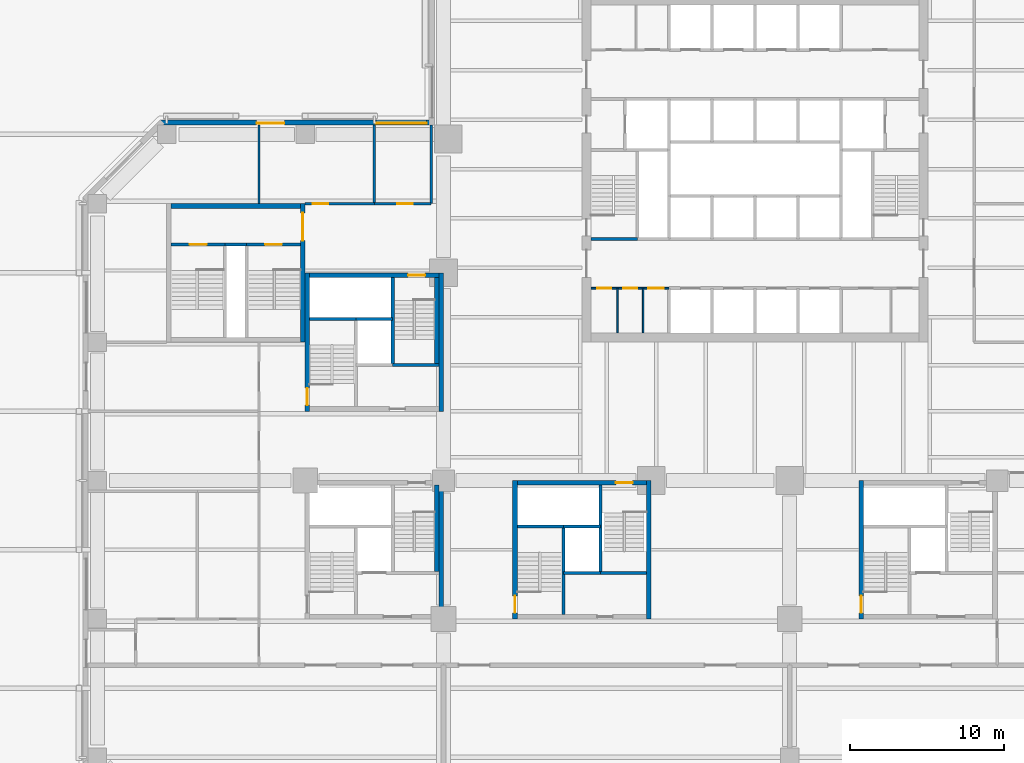
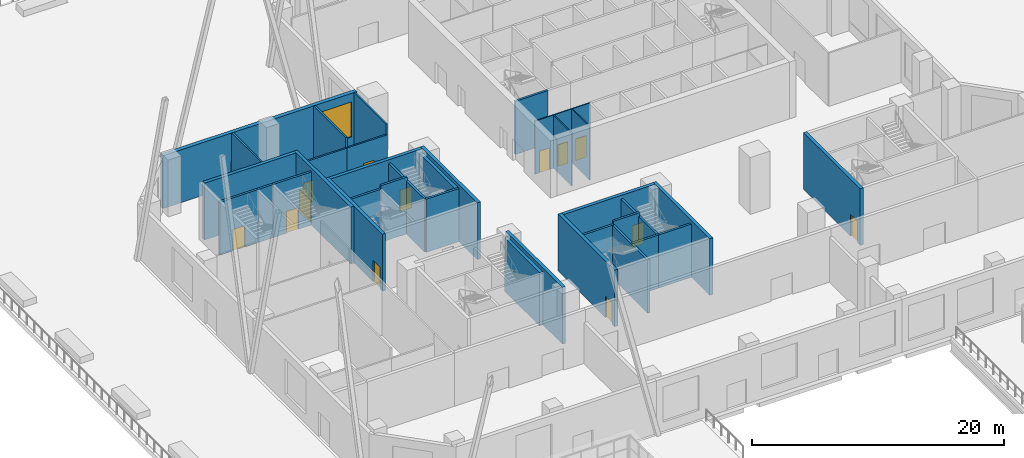
# One storey, part 22 of 33: 35 walls, 14 doors, 1 window, 15 openings.
"""IFC4 building model written with IfcOpenShell, lengths in metres."""

from ifc_helpers import new_model, si_unit, direction, frame, frame_2d, origin, place, context, subcontext, project, spatial, rectangle, extrude, material, layer, layer_set, constituent, constituent_set, type_object, element, fill, save


model = new_model("IFC4")

# Units and contexts
model_context = context("Model", 3, precision=1e-05, world=origin(), true_north=direction((0.0, 1.0)))
body_context = subcontext(model_context, "Body", "Model", "MODEL_VIEW")
ifc_project = project(units=[si_unit("LENGTHUNIT", "METRE"), si_unit("AREAUNIT", "SQUARE_METRE"), si_unit("VOLUMEUNIT", "CUBIC_METRE"), si_unit("PLANEANGLEUNIT", "RADIAN"), si_unit("MASSUNIT", "GRAM", prefix="KILO")], contexts=[model_context])

# Site, building, storey
site_placement = place(None, origin())
site = spatial("IfcSite", under=ifc_project, at=site_placement, CompositionType="ELEMENT")
building_placement = place(site_placement, origin())
building = spatial("IfcBuilding", under=site, at=building_placement, Name="Quoin Convention Tower", CompositionType="ELEMENT")
storey_placement = place(building_placement, frame((0.0, 0.0, 8.0)))
storey = spatial("IfcBuildingStorey", under=building, at=storey_placement, Name="L01", CompositionType="ELEMENT", Elevation=8.0)

# Wall, openings, window, door
ifc_material_1 = material(Name="Brick masonry", Category="masonry")
ifc_layer_1 = layer(ifc_material_1, 0.35009765625)
ifc_layer_set_1 = layer_set([ifc_layer_1], Name="Brick masonry")
wall_type_1 = type_object("IfcWallType", Name="Brick facade wall", PredefinedType="STANDARD", material=ifc_layer_set_1)
wall_1_placement = place(storey_placement, frame((35.39990234375, 63.77490234375, 0.0), z_axis=(0.0, 0.0, 1.0), x_axis=(-1.0, 0.0, 0.0)))
wall_1 = element("IfcWall", 1, at=wall_1_placement, inside=storey, type_object=wall_type_1, Name="fw-L01-36000_63000", PredefinedType="STANDARD", context=body_context, shape_type="SweptSolid", body=[
    extrude(rectangle(XDim=17.79345703125, YDim=0.35009765625, at=frame_2d((8.896728515625, 0.0))), origin(), (0.0, 0.0, 1.0), 5.125),
])
opening_1_placement = place(wall_1_placement, frame((0.5, 0.0, 0.89990234375)))
opening_1 = element("IfcOpeningElement", 2, at=opening_1_placement, cuts=wall_1, Name="Opening W-04", PredefinedType="OPENING", context=body_context, shape_type="SweptSolid", body=[
    extrude(rectangle(XDim=3.300048828125, YDim=3.39990234375, at=frame_2d((1.64990234375, 1.699951171875))), frame((0.0, 0.18505859375, 0.0), z_axis=(0.0, -1.0, 0.0), x_axis=(1.0, 0.0, 0.0)), (0.0, 0.0, 1.0), 0.3701171875),
])
opening_2_placement = place(wall_1_placement, frame((9.75, 0.0, 0.0)))
opening_2 = element("IfcOpeningElement", 3, at=opening_2_placement, cuts=wall_1, Name="Opening D-T1", PredefinedType="OPENING", context=body_context, shape_type="SweptSolid", body=[
    extrude(rectangle(XDim=1.800048828125, YDim=2.39990234375, at=frame_2d((0.89990234375, 1.199951171875))), frame((0.0, 0.18505859375, 0.0), z_axis=(0.0, -1.0, 0.0), x_axis=(1.0, 0.0, 0.0)), (0.0, 0.0, 1.0), 0.3701171875),
])
ifc_material_2 = material(Name="Aluminium", Category="aluminium")
ifc_constituent_1 = constituent(ifc_material_2, Name="Frame")
ifc_material_3 = material(Name="Insulated glass", Category="glass")
ifc_constituent_2 = constituent(ifc_material_3, Name="Glazing")
ifc_constituent_set_1 = constituent_set(constituents=[ifc_constituent_1, ifc_constituent_2], Name="Aluminium")
window_type = type_object("IfcWindowType", Name="Convention window L01", PartitioningType="TRIPLE_PANEL_VERTICAL", PredefinedType="WINDOW", material=ifc_constituent_set_1)
window_placement = place(opening_1_placement, origin())
window = element("IfcWindow", 4, at=window_placement, inside=storey, type_object=window_type, Name="win-L01-33750_63775", OverallHeight=3.39990234375, OverallWidth=3.300048828125, PartitioningType="SINGLE_PANEL", PredefinedType="WINDOW", context=body_context, shape_type="SweptSolid", body=[
    extrude(rectangle(XDim=3.300048828125, YDim=3.39990234375, at=frame_2d((1.64990234375, 1.699951171875))), frame((0.0, 0.0849609375, 0.0), z_axis=(0.0, -1.0, 0.0), x_axis=(1.0, 0.0, 0.0)), (0.0, 0.0, 1.0), 0.06005859375),
])
fill(opening_1, window)
ifc_constituent_3 = constituent(ifc_material_2, Name="Frame")
ifc_constituent_4 = constituent(ifc_material_3, Name="Glazing")
ifc_constituent_set_2 = constituent_set(constituents=[ifc_constituent_3, ifc_constituent_4], Name="Aluminium")
door_type_1 = type_object("IfcDoorType", Name="Glazed terrace door", OperationType="DOUBLE_DOOR_SINGLE_SWING", PredefinedType="DOOR", material=ifc_constituent_set_2)
door_1_placement = place(opening_2_placement, frame((1.800048828125, 0.0, 0.0), z_axis=(0.0, 0.0, 1.0), x_axis=(-1.0, 0.0, 0.0)))
door_1 = element("IfcDoor", 5, at=door_1_placement, inside=storey, type_object=door_type_1, Name="dr-L01-24750_63775", OperationType="DOUBLE_DOOR_SINGLE_SWING", OverallHeight=2.39990234375, OverallWidth=1.800048828125, PredefinedType="DOOR", context=body_context, shape_type="SweptSolid", body=[
    extrude(rectangle(XDim=1.800048828125, YDim=2.39990234375, at=frame_2d((0.89990234375, 1.199951171875))), frame((0.0, -0.02978515625, 0.0), z_axis=(0.0, -1.0, 0.0), x_axis=(1.0, 0.0, 0.0)), (0.0, 0.0, 1.0), 0.050048828125),
])
fill(opening_2, door_1)

# Wall, openings, doors
ifc_material_4 = material(Name="Plasterboard")
ifc_layer_2 = layer(ifc_material_4, 0.012451171875, Name="Finish")
ifc_material_5 = material(Name="Steel stud framing", Category="steel")
ifc_layer_3 = layer(ifc_material_5, 0.074951171875, Name="Structure")
ifc_layer_4 = layer(ifc_material_4, 0.012451171875, Name="Finish")
ifc_layer_set_2 = layer_set([ifc_layer_2, ifc_layer_3, ifc_layer_4], Name="Steel stud framing")
wall_type_2 = type_object("IfcWallType", Name="Core partition wall", PredefinedType="PARTITIONING", material=ifc_layer_set_2)
wall_2_placement = place(storey_placement, frame((45.60009765625, 53.0, 0.0), z_axis=(0.0, 0.0, 1.0), x_axis=(1.0, 0.0, 0.0)))
wall_2 = element("IfcWall", 6, at=wall_2_placement, inside=storey, type_object=wall_type_2, Name="cr-C1-L01-h3500_600", PredefinedType="PARTITIONING", context=body_context, shape_type="SweptSolid", body=[
    extrude(rectangle(XDim=5.0498046875, YDim=0.10009765625, at=frame_2d((2.52490234375, 0.0))), origin(), (0.0, 0.0, 1.0), 5.14990234375),
])
opening_3_placement = place(wall_2_placement, frame((0.408447265625, 0.0, 0.0)))
opening_3 = element("IfcOpeningElement", 7, at=opening_3_placement, cuts=wall_2, Name="Opening DCV1-43", PredefinedType="OPENING", context=body_context, shape_type="SweptSolid", body=[
    extrude(rectangle(XDim=0.89990234375, YDim=2.10009765625, at=frame_2d((0.449951171875, 1.050048828125))), frame((0.0, 0.06005859375, 0.0), z_axis=(0.0, -1.0, 0.0), x_axis=(1.0, 0.0, 0.0)), (0.0, 0.0, 1.0), 0.1201171875),
])
opening_4_placement = place(wall_2_placement, frame((2.10009765625, 0.0, 0.0)))
opening_4 = element("IfcOpeningElement", 8, at=opening_4_placement, cuts=wall_2, Name="Opening DCV1-44", PredefinedType="OPENING", context=body_context, shape_type="SweptSolid", body=[
    extrude(rectangle(XDim=0.89990234375, YDim=2.10009765625, at=frame_2d((0.449951171875, 1.050048828125))), frame((0.0, 0.06005859375, 0.0), z_axis=(0.0, -1.0, 0.0), x_axis=(1.0, 0.0, 0.0)), (0.0, 0.0, 1.0), 0.1201171875),
])
opening_5_placement = place(wall_2_placement, frame((3.716796875, 0.0, 0.0)))
opening_5 = element("IfcOpeningElement", 9, at=opening_5_placement, cuts=wall_2, Name="Opening DCV1-45", PredefinedType="OPENING", context=body_context, shape_type="SweptSolid", body=[
    extrude(rectangle(XDim=1.0, YDim=2.10009765625, at=frame_2d((0.5, 1.050048828125))), frame((0.0, 0.06005859375, 0.0), z_axis=(0.0, -1.0, 0.0), x_axis=(1.0, 0.0, 0.0)), (0.0, 0.0, 1.0), 0.1201171875),
])
ifc_material_6 = material(Name="Steel door leaf", Category="steel")
door_type_2 = type_object("IfcDoorType", Name="Core room door 1000 x 2100", OperationType="SINGLE_SWING_LEFT", PredefinedType="DOOR", material=ifc_material_6)
door_2_placement = place(opening_5_placement, frame((1.0, 0.0, 0.0), z_axis=(0.0, 0.0, 1.0), x_axis=(-1.0, 0.0, 0.0)))
door_2 = element("IfcDoor", 10, at=door_2_placement, inside=storey, type_object=door_type_2, Name="cd-C1-L01-CSW2-lobA-CD0114", OperationType="SINGLE_SWING_LEFT", OverallHeight=2.10009765625, OverallWidth=1.0, PredefinedType="DOOR", context=body_context, shape_type="SweptSolid", body=[
    extrude(rectangle(XDim=1.0, YDim=2.10009765625, at=frame_2d((0.5, 1.050048828125))), frame((0.0, 0.02490234375, 0.0), z_axis=(0.0, -1.0, 0.0), x_axis=(1.0, 0.0, 0.0)), (0.0, 0.0, 1.0), 0.050048828125),
])
fill(opening_5, door_2)
door_type_3 = type_object("IfcDoorType", Name="Core room door 900 x 2100", OperationType="SINGLE_SWING_LEFT", PredefinedType="DOOR", material=ifc_material_6)
door_3_placement = place(opening_3_placement, frame((0.89990234375, 0.0, 0.0), z_axis=(0.0, 0.0, 1.0), x_axis=(-1.0, 0.0, 0.0)))
door_3 = element("IfcDoor", 11, at=door_3_placement, inside=storey, type_object=door_type_3, Name="cd-C1-L01-CSW0-lobA-CD0112", OperationType="SINGLE_SWING_LEFT", OverallHeight=2.10009765625, OverallWidth=0.89990234375, PredefinedType="DOOR", context=body_context, shape_type="SweptSolid", body=[
    extrude(rectangle(XDim=0.89990234375, YDim=2.10009765625, at=frame_2d((0.449951171875, 1.050048828125))), frame((0.0, 0.02490234375, 0.0), z_axis=(0.0, -1.0, 0.0), x_axis=(1.0, 0.0, 0.0)), (0.0, 0.0, 1.0), 0.050048828125),
])
fill(opening_3, door_3)
door_4_placement = place(opening_4_placement, frame((0.89990234375, 0.0, 0.0), z_axis=(0.0, 0.0, 1.0), x_axis=(-1.0, 0.0, 0.0)))
door_4 = element("IfcDoor", 12, at=door_4_placement, inside=storey, type_object=door_type_3, Name="cd-C1-L01-CSW1-lobA-CD0113", OperationType="SINGLE_SWING_LEFT", OverallHeight=2.10009765625, OverallWidth=0.89990234375, PredefinedType="DOOR", context=body_context, shape_type="SweptSolid", body=[
    extrude(rectangle(XDim=0.89990234375, YDim=2.10009765625, at=frame_2d((0.449951171875, 1.050048828125))), frame((0.0, 0.02490234375, 0.0), z_axis=(0.0, -1.0, 0.0), x_axis=(1.0, 0.0, 0.0)), (0.0, 0.0, 1.0), 0.050048828125),
])
fill(opening_4, door_4)

# Walls
for number, where, z_axis, x_axis, name in (
    (13, (47.31689453125, 50.10009765625, 0.0), (0.0, 0.0, 1.0), (0.0, 1.0, 0.0), "cr-C1-L01-v2317_600"),
    (14, (48.9833984375, 50.10009765625, 0.0), (0.0, 0.0, 1.0), (0.0, 1.0, 0.0), "cr-C1-L01-v3984_600"),
):
    element("IfcWall", number, at=place(storey_placement, frame(where, z_axis=z_axis, x_axis=x_axis)), inside=storey, type_object=wall_type_2, Name=name, PredefinedType="PARTITIONING", context=body_context, shape_type="SweptSolid", body=[
        extrude(rectangle(XDim=2.89990234375, YDim=0.10009765625, at=frame_2d((1.449951171875, 0.0))), origin(), (0.0, 0.0, 1.0), 5.14990234375),
    ])
ifc_material_7 = material(Name="Concrete C50", Category="concrete")
ifc_layer_5 = layer(ifc_material_7, 0.199951171875)
ifc_layer_set_3 = layer_set([ifc_layer_5], Name="Concrete C50")
wall_type_3 = type_object("IfcWallType", Name="Core shaft wall", PredefinedType="SOLIDWALL", material=ifc_layer_set_3)
for number, where, z_axis, x_axis, name in (
    (15, (45.60009765625, 56.199951171875, 0.0), (0.0, 0.0, 1.0), (1.0, 0.0, 0.0), "cr-C1-L01-h6700_600"),
    (16, (32.699951171875, 48.0, 0.0), (0.0, 0.0, 1.0), (1.0, 0.0, 0.0), "cr-P2-L01-h3000_5700"),
    (17, (27.300048828125, 51.0, 0.0), (0.0, 0.0, 1.0), (1.0, 0.0, 0.0), "cr-P2-L01-h6000_300"),
):
    element("IfcWall", number, at=place(storey_placement, frame(where, z_axis=z_axis, x_axis=x_axis)), inside=storey, type_object=wall_type_3, Name=name, PredefinedType="SOLIDWALL", context=body_context, shape_type="SweptSolid", body=[
        extrude(rectangle(XDim=3.0, YDim=0.199951171875, at=frame_2d((1.5, 0.0))), origin(), (0.0, 0.0, 1.0), 5.14990234375),
    ])
wall_3_placement = place(storey_placement, frame((32.699951171875, 48.0, 0.0), z_axis=(0.0, 0.0, 1.0), x_axis=(0.0, 1.0, 0.0)))
element("IfcWall", 18, at=wall_3_placement, inside=storey, type_object=wall_type_3, Name="cr-P2-L01-v5700_3000", PredefinedType="SOLIDWALL", context=body_context, shape_type="SweptSolid", body=[
    extrude(rectangle(XDim=5.699951171875, YDim=0.199951171875, at=frame_2d((2.85009765625, 0.0))), origin(), (0.0, 0.0, 1.0), 5.14990234375),
])
wall_4_placement = place(storey_placement, frame((43.800048828125, 34.5, 0.0), z_axis=(0.0, 0.0, 1.0), x_axis=(1.0, 0.0, 0.0)))
element("IfcWall", 19, at=wall_4_placement, inside=storey, type_object=wall_type_3, Name="cr-P3-L01-h3000_3300", PredefinedType="SOLIDWALL", context=body_context, shape_type="SweptSolid", body=[
    extrude(rectangle(XDim=2.39990234375, YDim=0.199951171875, at=frame_2d((1.199951171875, 0.0))), origin(), (0.0, 0.0, 1.0), 5.14990234375),
])
for number, where, z_axis, x_axis, name in (
    (20, (46.199951171875, 34.5, 0.0), (0.0, 0.0, 1.0), (1.0, 0.0, 0.0), "cr-P3-L01-h3000_5700"),
    (21, (40.800048828125, 37.5, 0.0), (0.0, 0.0, 1.0), (1.0, 0.0, 0.0), "cr-P3-L01-h6000_300"),
):
    element("IfcWall", number, at=place(storey_placement, frame(where, z_axis=z_axis, x_axis=x_axis)), inside=storey, type_object=wall_type_3, Name=name, PredefinedType="SOLIDWALL", context=body_context, shape_type="SweptSolid", body=[
        extrude(rectangle(XDim=3.0, YDim=0.199951171875, at=frame_2d((1.5, 0.0))), origin(), (0.0, 0.0, 1.0), 5.14990234375),
    ])
for number, where, z_axis, x_axis, name in (
    (22, (43.800048828125, 31.800048828125, 0.0), (0.0, 0.0, 1.0), (0.0, 1.0, 0.0), "cr-P3-L01-v3300_300"),
    (23, (46.199951171875, 34.5, 0.0), (0.0, 0.0, 1.0), (0.0, 1.0, 0.0), "cr-P3-L01-v5700_3000"),
):
    element("IfcWall", number, at=place(storey_placement, frame(where, z_axis=z_axis, x_axis=x_axis)), inside=storey, type_object=wall_type_3, Name=name, PredefinedType="SOLIDWALL", context=body_context, shape_type="SweptSolid", body=[
        extrude(rectangle(XDim=5.699951171875, YDim=0.199951171875, at=frame_2d((2.85009765625, 0.0))), origin(), (0.0, 0.0, 1.0), 5.14990234375),
    ])
wall_5_placement = place(storey_placement, frame((21.800048828125, 55.85009765625, 0.0), z_axis=(0.0, 0.0, 1.0), x_axis=(1.0, 0.0, 0.0)))
element("IfcWall", 24, at=wall_5_placement, inside=storey, type_object=wall_type_3, Name="cr-P6-L01-h6350_3800", PredefinedType="SOLIDWALL", context=body_context, shape_type="SweptSolid", body=[
    extrude(rectangle(XDim=1.39990234375, YDim=0.199951171875, at=frame_2d((0.699951171875, 0.0))), origin(), (0.0, 0.0, 1.0), 5.14990234375),
])

# Wall, opening, door
wall_6_placement = place(storey_placement, frame((18.300048828125, 55.85009765625, 0.0), z_axis=(0.0, 0.0, 1.0), x_axis=(1.0, 0.0, 0.0)))
wall_6 = element("IfcWall", 25, at=wall_6_placement, inside=storey, type_object=wall_type_3, Name="cr-P6-L01-h6350_300", PredefinedType="SOLIDWALL", context=body_context, shape_type="SweptSolid", body=[
    extrude(rectangle(XDim=3.5, YDim=0.199951171875, at=frame_2d((1.75, 0.0))), origin(), (0.0, 0.0, 1.0), 5.14990234375),
])
opening_6_placement = place(wall_6_placement, frame((1.199951171875, 0.0, 0.0)))
opening_6 = element("IfcOpeningElement", 26, at=opening_6_placement, cuts=wall_6, Name="Opening SD11", PredefinedType="OPENING", context=body_context, shape_type="SweptSolid", body=[
    extrude(rectangle(XDim=1.10009765625, YDim=2.10009765625, at=frame_2d((0.550048828125, 1.050048828125))), frame((0.0, 0.10986328125, 0.0), z_axis=(0.0, -1.0, 0.0), x_axis=(1.0, 0.0, 0.0)), (0.0, 0.0, 1.0), 0.219970703125),
])
door_type_4 = type_object("IfcDoorType", Name="Stair door 1100 x 2100", OperationType="SINGLE_SWING_RIGHT", PredefinedType="DOOR", material=ifc_material_6)
door_5_placement = place(opening_6_placement, origin())
door_5 = element("IfcDoor", 27, at=door_5_placement, inside=storey, type_object=door_type_4, Name="cd-P6-L01-SA-R2-SD11", OperationType="SINGLE_SWING_RIGHT", OverallHeight=2.10009765625, OverallWidth=1.10009765625, PredefinedType="DOOR", context=body_context, shape_type="SweptSolid", body=[
    extrude(rectangle(XDim=1.10009765625, YDim=2.10009765625, at=frame_2d((0.550048828125, 1.050048828125))), frame((0.0, 0.02490234375, 0.0), z_axis=(0.0, -1.0, 0.0), x_axis=(1.0, 0.0, 0.0)), (0.0, 0.0, 1.0), 0.050048828125),
])
fill(opening_6, door_5)

wall_7_placement = place(storey_placement, frame((23.199951171875, 55.85009765625, 0.0), z_axis=(0.0, 0.0, 1.0), x_axis=(1.0, 0.0, 0.0)))
wall_7 = element("IfcWall", 28, at=wall_7_placement, inside=storey, type_object=wall_type_3, Name="cr-P6-L01-h6350_5200", PredefinedType="SOLIDWALL", context=body_context, shape_type="SweptSolid", body=[
    extrude(rectangle(XDim=3.5, YDim=0.199951171875, at=frame_2d((1.75, 0.0))), origin(), (0.0, 0.0, 1.0), 5.14990234375),
])
opening_7_placement = place(wall_7_placement, frame((1.199951171875, 0.0, 0.0)))
opening_7 = element("IfcOpeningElement", 29, at=opening_7_placement, cuts=wall_7, Name="Opening SD12", PredefinedType="OPENING", context=body_context, shape_type="SweptSolid", body=[
    extrude(rectangle(XDim=1.10009765625, YDim=2.10009765625, at=frame_2d((0.550048828125, 1.050048828125))), frame((0.0, 0.10986328125, 0.0), z_axis=(0.0, -1.0, 0.0), x_axis=(1.0, 0.0, 0.0)), (0.0, 0.0, 1.0), 0.219970703125),
])
door_6_placement = place(opening_7_placement, origin())
door_6 = element("IfcDoor", 30, at=door_6_placement, inside=storey, type_object=door_type_4, Name="cd-P6-L01-SB-R2-SD12", OperationType="SINGLE_SWING_RIGHT", OverallHeight=2.10009765625, OverallWidth=1.10009765625, PredefinedType="DOOR", context=body_context, shape_type="SweptSolid", body=[
    extrude(rectangle(XDim=1.10009765625, YDim=2.10009765625, at=frame_2d((0.550048828125, 1.050048828125))), frame((0.0, 0.02490234375, 0.0), z_axis=(0.0, -1.0, 0.0), x_axis=(1.0, 0.0, 0.0)), (0.0, 0.0, 1.0), 0.050048828125),
])
fill(opening_7, door_6)

# Walls
ifc_layer_6 = layer(ifc_material_7, 0.199951171875)
ifc_layer_set_4 = layer_set([ifc_layer_6], Name="Concrete C50")
wall_type_4 = type_object("IfcWallType", Name="Core shaft wall to the floor level over", PredefinedType="SOLIDWALL", material=ifc_layer_set_4)
for number, where, z_axis, x_axis, name in (
    (31, (30.300048828125, 51.0, 0.0), (0.0, 0.0, 1.0), (1.0, 0.0, 0.0), "cr-P2-L01-h6000_3300"),
    (32, (43.800048828125, 37.5, 0.0), (0.0, 0.0, 1.0), (1.0, 0.0, 0.0), "cr-P3-L01-h6000_3300"),
):
    element("IfcWall", number, at=place(storey_placement, frame(where, z_axis=z_axis, x_axis=x_axis)), inside=storey, type_object=wall_type_4, Name=name, PredefinedType="SOLIDWALL", context=body_context, shape_type="SweptSolid", body=[
        extrude(rectangle(XDim=2.39990234375, YDim=0.199951171875, at=frame_2d((1.199951171875, 0.0))), origin(), (0.0, 0.0, 1.0), 5.5),
    ])
ifc_layer_7 = layer(ifc_material_4, 0.012451171875, Name="Finish")
ifc_layer_8 = layer(ifc_material_5, 0.125, Name="Structure")
ifc_layer_9 = layer(ifc_material_4, 0.012451171875, Name="Finish")
ifc_layer_set_5 = layer_set([ifc_layer_7, ifc_layer_8, ifc_layer_9], Name="Steel stud framing")
wall_type_5 = type_object("IfcWallType", Name="Partition wall 150", PredefinedType="PARTITIONING", material=ifc_layer_set_5)
for number, where, z_axis, x_axis, name in (
    (33, (24.0, 58.5, 0.0), (0.0, 0.0, 1.0), (0.0, 1.0, 0.0), "pw-L01-033"),
    (34, (31.5, 58.5, 0.0), (0.0, 0.0, 1.0), (0.0, 1.0, 0.0), "pw-L01-035"),
    (35, (35.199951171875, 58.5, 0.0), (0.0, 0.0, 1.0), (0.0, 1.0, 0.0), "pw-L01-036"),
):
    element("IfcWall", number, at=place(storey_placement, frame(where, z_axis=z_axis, x_axis=x_axis)), inside=storey, type_object=wall_type_5, Name=name, PredefinedType="PARTITIONING", context=body_context, shape_type="SweptSolid", body=[
        extrude(rectangle(XDim=5.10009765625, YDim=0.14990234375, at=frame_2d((2.550048828125, 0.0))), origin(), (0.0, 0.0, 1.0), 5.14990234375),
    ])

# Wall, opening, door
ifc_layer_10 = layer(ifc_material_4, 0.012451171875, Name="Finish")
ifc_layer_11 = layer(ifc_material_5, 0.125, Name="Structure")
ifc_layer_12 = layer(ifc_material_4, 0.012451171875, Name="Finish")
ifc_layer_set_6 = layer_set([ifc_layer_10, ifc_layer_11, ifc_layer_12], Name="Steel stud framing")
wall_type_6 = type_object("IfcWallType", Name="Partition wall 150 under beam 1000", PredefinedType="PARTITIONING", material=ifc_layer_set_6)
wall_8_placement = place(storey_placement, frame((27.0, 58.5, 0.0), z_axis=(0.0, 0.0, 1.0), x_axis=(1.0, 0.0, 0.0)))
wall_8 = element("IfcWall", 36, at=wall_8_placement, inside=storey, type_object=wall_type_6, Name="pw-L01-032", PredefinedType="PARTITIONING", context=body_context, shape_type="SweptSolid", body=[
    extrude(rectangle(XDim=4.5, YDim=0.14990234375, at=frame_2d((2.25, 0.0))), origin(), (0.0, 0.0, 1.0), 4.14990234375),
])
opening_8_placement = place(wall_8_placement, frame((0.5, 0.0, 0.0)))
opening_8 = element("IfcOpeningElement", 37, at=opening_8_placement, cuts=wall_8, Name="Opening DPD1-16", PredefinedType="OPENING", context=body_context, shape_type="SweptSolid", body=[
    extrude(rectangle(XDim=1.0, YDim=2.10009765625, at=frame_2d((0.5, 1.050048828125))), frame((0.0, 0.0849609375, 0.0), z_axis=(0.0, -1.0, 0.0), x_axis=(1.0, 0.0, 0.0)), (0.0, 0.0, 1.0), 0.169921875),
])
door_type_5 = type_object("IfcDoorType", Name="Single leaf door 1000", OperationType="SINGLE_SWING_LEFT", PredefinedType="DOOR", material=ifc_material_6)
door_7_placement = place(opening_8_placement, origin())
door_7 = element("IfcDoor", 38, at=door_7_placement, inside=storey, type_object=door_type_5, Name="dr-L01-017", OperationType="SINGLE_SWING_LEFT", OverallHeight=2.10009765625, OverallWidth=1.0, PredefinedType="DOOR", context=body_context, shape_type="SweptSolid", body=[
    extrude(rectangle(XDim=1.0, YDim=2.10009765625, at=frame_2d((0.5, 1.050048828125))), frame((0.0, 0.02490234375, 0.0), z_axis=(0.0, -1.0, 0.0), x_axis=(1.0, 0.0, 0.0)), (0.0, 0.0, 1.0), 0.050048828125),
])
fill(opening_8, door_7)

wall_9_placement = place(storey_placement, frame((31.5, 58.5, 0.0), z_axis=(0.0, 0.0, 1.0), x_axis=(1.0, 0.0, 0.0)))
wall_9 = element("IfcWall", 39, at=wall_9_placement, inside=storey, type_object=wall_type_6, Name="pw-L01-034", PredefinedType="PARTITIONING", context=body_context, shape_type="SweptSolid", body=[
    extrude(rectangle(XDim=3.699951171875, YDim=0.14990234375, at=frame_2d((1.85009765625, 0.0))), origin(), (0.0, 0.0, 1.0), 4.14990234375),
])
opening_9_placement = place(wall_9_placement, frame((1.5, 0.0, 0.0)))
opening_9 = element("IfcOpeningElement", 40, at=opening_9_placement, cuts=wall_9, Name="Opening DPD1-17", PredefinedType="OPENING", context=body_context, shape_type="SweptSolid", body=[
    extrude(rectangle(XDim=1.0, YDim=2.10009765625, at=frame_2d((0.5, 1.050048828125))), frame((0.0, 0.0849609375, 0.0), z_axis=(0.0, -1.0, 0.0), x_axis=(1.0, 0.0, 0.0)), (0.0, 0.0, 1.0), 0.169921875),
])
door_8_placement = place(opening_9_placement, origin())
door_8 = element("IfcDoor", 41, at=door_8_placement, inside=storey, type_object=door_type_5, Name="dr-L01-018", OperationType="SINGLE_SWING_RIGHT", OverallHeight=2.10009765625, OverallWidth=1.0, PredefinedType="DOOR", context=body_context, shape_type="SweptSolid", body=[
    extrude(rectangle(XDim=1.0, YDim=2.10009765625, at=frame_2d((0.5, 1.050048828125))), frame((0.0, 0.02490234375, 0.0), z_axis=(0.0, -1.0, 0.0), x_axis=(1.0, 0.0, 0.0)), (0.0, 0.0, 1.0), 0.050048828125),
])
fill(opening_9, door_8)

ifc_material_8 = material(Name="Concrete C100 (100 MPa)", Category="concrete")
ifc_layer_13 = layer(ifc_material_8, 0.300048828125)
ifc_layer_set_7 = layer_set([ifc_layer_13], Name="Concrete C100 (100 MPa)")
wall_type_7 = type_object("IfcWallType", Name="RC CORE WALL 300 C100", PredefinedType="SHEAR", material=ifc_layer_set_7)
wall_10_placement = place(storey_placement, frame((27.300048828125, 53.85009765625, 0.0), z_axis=(0.0, 0.0, 1.0), x_axis=(1.0, 0.0, 0.0)))
wall_10 = element("IfcWall", 42, at=wall_10_placement, inside=storey, type_object=wall_type_7, Name="cwl-P2-L01-N", PredefinedType="SHEAR", context=body_context, shape_type="SweptSolid", body=[
    extrude(rectangle(XDim=8.39990234375, YDim=0.300048828125, at=frame_2d((4.199951171875, 0.0))), origin(), (0.0, 0.0, 1.0), 5.5),
])
opening_10_placement = place(wall_10_placement, frame((6.39990234375, 0.0, 0.0)))
opening_10 = element("IfcOpeningElement", 43, at=opening_10_placement, cuts=wall_10, Name="Opening SD4", PredefinedType="OPENING", context=body_context, shape_type="SweptSolid", body=[
    extrude(rectangle(XDim=1.10009765625, YDim=2.10009765625, at=frame_2d((0.550048828125, 1.050048828125))), frame((0.0, 0.159912109375, 0.0), z_axis=(0.0, -1.0, 0.0), x_axis=(1.0, 0.0, 0.0)), (0.0, 0.0, 1.0), 0.320068359375),
])
door_9_placement = place(opening_10_placement, frame((1.10009765625, 0.0, 0.0), z_axis=(0.0, 0.0, 1.0), x_axis=(-1.0, 0.0, 0.0)))
door_9 = element("IfcDoor", 44, at=door_9_placement, inside=storey, type_object=door_type_4, Name="cd-P2-L01-SB-N", OperationType="SINGLE_SWING_LEFT", OverallHeight=2.10009765625, OverallWidth=1.10009765625, PredefinedType="DOOR", context=body_context, shape_type="SweptSolid", body=[
    extrude(rectangle(XDim=1.10009765625, YDim=2.10009765625, at=frame_2d((0.550048828125, 1.050048828125))), frame((0.0, 0.02490234375, 0.0), z_axis=(0.0, -1.0, 0.0), x_axis=(1.0, 0.0, 0.0)), (0.0, 0.0, 1.0), 0.050048828125),
])
fill(opening_10, door_9)

wall_11_placement = place(storey_placement, frame((27.14990234375, 45.0, 0.0), z_axis=(0.0, 0.0, 1.0), x_axis=(0.0, 1.0, 0.0)))
wall_11 = element("IfcWall", 45, at=wall_11_placement, inside=storey, type_object=wall_type_7, Name="cwl-P2-L01-W", PredefinedType="SHEAR", context=body_context, shape_type="SweptSolid", body=[
    extrude(rectangle(XDim=9.0, YDim=0.300048828125, at=frame_2d((4.5, 0.0))), origin(), (0.0, 0.0, 1.0), 5.5),
])
opening_11_placement = place(wall_11_placement, frame((0.39990234375, 0.0, 0.0)))
opening_11 = element("IfcOpeningElement", 46, at=opening_11_placement, cuts=wall_11, Name="Opening SD3", PredefinedType="OPENING", context=body_context, shape_type="SweptSolid", body=[
    extrude(rectangle(XDim=1.10009765625, YDim=2.10009765625, at=frame_2d((0.550048828125, 1.050048828125))), frame((0.0, 0.159912109375, 0.0), z_axis=(0.0, -1.0, 0.0), x_axis=(1.0, 0.0, 0.0)), (0.0, 0.0, 1.0), 0.320068359375),
])
door_10_placement = place(opening_11_placement, frame((1.10009765625, 0.0, 0.0), z_axis=(0.0, 0.0, 1.0), x_axis=(-1.0, 0.0, 0.0)))
door_10 = element("IfcDoor", 47, at=door_10_placement, inside=storey, type_object=door_type_4, Name="cd-P2-L01-SA-W", OperationType="SINGLE_SWING_RIGHT", OverallHeight=2.10009765625, OverallWidth=1.10009765625, PredefinedType="DOOR", context=body_context, shape_type="SweptSolid", body=[
    extrude(rectangle(XDim=1.10009765625, YDim=2.10009765625, at=frame_2d((0.550048828125, 1.050048828125))), frame((0.0, 0.02490234375, 0.0), z_axis=(0.0, -1.0, 0.0), x_axis=(1.0, 0.0, 0.0)), (0.0, 0.0, 1.0), 0.050048828125),
])
fill(opening_11, door_10)

# Wall
wall_12_placement = place(storey_placement, frame((35.85009765625, 45.0, 0.0), z_axis=(0.0, 0.0, 1.0), x_axis=(0.0, 1.0, 0.0)))
element("IfcWall", 48, at=wall_12_placement, inside=storey, type_object=wall_type_7, Name="cwl-P2-L01-E", PredefinedType="SHEAR", context=body_context, shape_type="SweptSolid", body=[
    extrude(rectangle(XDim=9.0, YDim=0.300048828125, at=frame_2d((4.5, 0.0))), origin(), (0.0, 0.0, 1.0), 5.5),
])

# Wall, opening, door
wall_13_placement = place(storey_placement, frame((40.800048828125, 40.35009765625, 0.0), z_axis=(0.0, 0.0, 1.0), x_axis=(1.0, 0.0, 0.0)))
wall_13 = element("IfcWall", 49, at=wall_13_placement, inside=storey, type_object=wall_type_7, Name="cwl-P3-L01-N", PredefinedType="SHEAR", context=body_context, shape_type="SweptSolid", body=[
    extrude(rectangle(XDim=8.39990234375, YDim=0.300048828125, at=frame_2d((4.199951171875, 0.0))), origin(), (0.0, 0.0, 1.0), 5.5),
])
opening_12_placement = place(wall_13_placement, frame((6.39990234375, 0.0, 0.0)))
opening_12 = element("IfcOpeningElement", 50, at=opening_12_placement, cuts=wall_13, Name="Opening SD6", PredefinedType="OPENING", context=body_context, shape_type="SweptSolid", body=[
    extrude(rectangle(XDim=1.10009765625, YDim=2.10009765625, at=frame_2d((0.550048828125, 1.050048828125))), frame((0.0, 0.159912109375, 0.0), z_axis=(0.0, -1.0, 0.0), x_axis=(1.0, 0.0, 0.0)), (0.0, 0.0, 1.0), 0.320068359375),
])
door_11_placement = place(opening_12_placement, frame((1.10009765625, 0.0, 0.0), z_axis=(0.0, 0.0, 1.0), x_axis=(-1.0, 0.0, 0.0)))
door_11 = element("IfcDoor", 51, at=door_11_placement, inside=storey, type_object=door_type_4, Name="cd-P3-L01-SB-N", OperationType="SINGLE_SWING_LEFT", OverallHeight=2.10009765625, OverallWidth=1.10009765625, PredefinedType="DOOR", context=body_context, shape_type="SweptSolid", body=[
    extrude(rectangle(XDim=1.10009765625, YDim=2.10009765625, at=frame_2d((0.550048828125, 1.050048828125))), frame((0.0, 0.02490234375, 0.0), z_axis=(0.0, -1.0, 0.0), x_axis=(1.0, 0.0, 0.0)), (0.0, 0.0, 1.0), 0.050048828125),
])
fill(opening_12, door_11)

wall_14_placement = place(storey_placement, frame((40.64990234375, 31.5, 0.0), z_axis=(0.0, 0.0, 1.0), x_axis=(0.0, 1.0, 0.0)))
wall_14 = element("IfcWall", 52, at=wall_14_placement, inside=storey, type_object=wall_type_7, Name="cwl-P3-L01-W", PredefinedType="SHEAR", context=body_context, shape_type="SweptSolid", body=[
    extrude(rectangle(XDim=9.0, YDim=0.300048828125, at=frame_2d((4.5, 0.0))), origin(), (0.0, 0.0, 1.0), 5.5),
])
opening_13_placement = place(wall_14_placement, frame((0.39990234375, 0.0, 0.0)))
opening_13 = element("IfcOpeningElement", 53, at=opening_13_placement, cuts=wall_14, Name="Opening SD5", PredefinedType="OPENING", context=body_context, shape_type="SweptSolid", body=[
    extrude(rectangle(XDim=1.10009765625, YDim=2.10009765625, at=frame_2d((0.550048828125, 1.050048828125))), frame((0.0, 0.159912109375, 0.0), z_axis=(0.0, -1.0, 0.0), x_axis=(1.0, 0.0, 0.0)), (0.0, 0.0, 1.0), 0.320068359375),
])
door_12_placement = place(opening_13_placement, frame((1.10009765625, 0.0, 0.0), z_axis=(0.0, 0.0, 1.0), x_axis=(-1.0, 0.0, 0.0)))
door_12 = element("IfcDoor", 54, at=door_12_placement, inside=storey, type_object=door_type_4, Name="cd-P3-L01-SA-W", OperationType="SINGLE_SWING_RIGHT", OverallHeight=2.10009765625, OverallWidth=1.10009765625, PredefinedType="DOOR", context=body_context, shape_type="SweptSolid", body=[
    extrude(rectangle(XDim=1.10009765625, YDim=2.10009765625, at=frame_2d((0.550048828125, 1.050048828125))), frame((0.0, 0.02490234375, 0.0), z_axis=(0.0, -1.0, 0.0), x_axis=(1.0, 0.0, 0.0)), (0.0, 0.0, 1.0), 0.050048828125),
])
fill(opening_13, door_12)

# Walls
for number, where, z_axis, x_axis, name in (
    (55, (49.35009765625, 31.5, 0.0), (0.0, 0.0, 1.0), (0.0, 1.0, 0.0), "cwl-P3-L01-E"),
    (56, (35.85009765625, 31.5, 0.0), (0.0, 0.0, 1.0), (0.0, 1.0, 0.0), "cwl-P4-L01-E"),
):
    element("IfcWall", number, at=place(storey_placement, frame(where, z_axis=z_axis, x_axis=x_axis)), inside=storey, type_object=wall_type_7, Name=name, PredefinedType="SHEAR", context=body_context, shape_type="SweptSolid", body=[
        extrude(rectangle(XDim=9.0, YDim=0.300048828125, at=frame_2d((4.5, 0.0))), origin(), (0.0, 0.0, 1.0), 5.5),
    ])

# Wall, opening, door
wall_15_placement = place(storey_placement, frame((63.14990234375, 31.5, 0.0), z_axis=(0.0, 0.0, 1.0), x_axis=(0.0, 1.0, 0.0)))
wall_15 = element("IfcWall", 57, at=wall_15_placement, inside=storey, type_object=wall_type_7, Name="cwl-P5-L01-W", PredefinedType="SHEAR", context=body_context, shape_type="SweptSolid", body=[
    extrude(rectangle(XDim=9.0, YDim=0.300048828125, at=frame_2d((4.5, 0.0))), origin(), (0.0, 0.0, 1.0), 5.5),
])
opening_14_placement = place(wall_15_placement, frame((0.39990234375, 0.0, 0.0)))
opening_14 = element("IfcOpeningElement", 58, at=opening_14_placement, cuts=wall_15, Name="Opening SD9", PredefinedType="OPENING", context=body_context, shape_type="SweptSolid", body=[
    extrude(rectangle(XDim=1.10009765625, YDim=2.10009765625, at=frame_2d((0.550048828125, 1.050048828125))), frame((0.0, 0.159912109375, 0.0), z_axis=(0.0, -1.0, 0.0), x_axis=(1.0, 0.0, 0.0)), (0.0, 0.0, 1.0), 0.320068359375),
])
door_13_placement = place(opening_14_placement, frame((1.10009765625, 0.0, 0.0), z_axis=(0.0, 0.0, 1.0), x_axis=(-1.0, 0.0, 0.0)))
door_13 = element("IfcDoor", 59, at=door_13_placement, inside=storey, type_object=door_type_4, Name="cd-P5-L01-SA-W", OperationType="SINGLE_SWING_RIGHT", OverallHeight=2.10009765625, OverallWidth=1.10009765625, PredefinedType="DOOR", context=body_context, shape_type="SweptSolid", body=[
    extrude(rectangle(XDim=1.10009765625, YDim=2.10009765625, at=frame_2d((0.550048828125, 1.050048828125))), frame((0.0, 0.02490234375, 0.0), z_axis=(0.0, -1.0, 0.0), x_axis=(1.0, 0.0, 0.0)), (0.0, 0.0, 1.0), 0.050048828125),
])
fill(opening_14, door_13)

# Wall
wall_16_placement = place(storey_placement, frame((18.300048828125, 58.35009765625, 0.0), z_axis=(0.0, 0.0, 1.0), x_axis=(1.0, 0.0, 0.0)))
element("IfcWall", 60, at=wall_16_placement, inside=storey, type_object=wall_type_7, Name="cwl-P6-L01-N", PredefinedType="SHEAR", context=body_context, shape_type="SweptSolid", body=[
    extrude(rectangle(XDim=8.39990234375, YDim=0.300048828125, at=frame_2d((4.199951171875, 0.0))), origin(), (0.0, 0.0, 1.0), 5.5),
])

# Wall, opening, door
wall_17_placement = place(storey_placement, frame((26.85009765625, 49.5, 0.0), z_axis=(0.0, 0.0, 1.0), x_axis=(0.0, 1.0, 0.0)))
wall_17 = element("IfcWall", 61, at=wall_17_placement, inside=storey, type_object=wall_type_7, Name="cwl-P6-L01-E", PredefinedType="SHEAR", context=body_context, shape_type="SweptSolid", body=[
    extrude(rectangle(XDim=9.0, YDim=0.300048828125, at=frame_2d((4.5, 0.0))), origin(), (0.0, 0.0, 1.0), 5.5),
])
opening_15_placement = place(wall_17_placement, frame((6.60009765625, 0.0, 0.0)))
opening_15 = element("IfcOpeningElement", 62, at=opening_15_placement, cuts=wall_17, Name="Opening DCV1-54", PredefinedType="OPENING", context=body_context, shape_type="SweptSolid", body=[
    extrude(rectangle(XDim=1.800048828125, YDim=2.10009765625, at=frame_2d((0.89990234375, 1.050048828125))), frame((0.0, 0.159912109375, 0.0), z_axis=(0.0, -1.0, 0.0), x_axis=(1.0, 0.0, 0.0)), (0.0, 0.0, 1.0), 0.320068359375),
])
door_type_6 = type_object("IfcDoorType", Name="Goods lobby door 1800 x 2100", OperationType="SINGLE_SWING_LEFT", PredefinedType="DOOR", material=ifc_material_6)
door_14_placement = place(opening_15_placement, origin())
door_14 = element("IfcDoor", 63, at=door_14_placement, inside=storey, type_object=door_type_6, Name="cd-P6-L01-R2-E", OperationType="SINGLE_SWING_LEFT", OverallHeight=2.10009765625, OverallWidth=1.800048828125, PredefinedType="DOOR", context=body_context, shape_type="SweptSolid", body=[
    extrude(rectangle(XDim=1.800048828125, YDim=2.10009765625, at=frame_2d((0.89990234375, 1.050048828125))), frame((0.0, 0.02490234375, 0.0), z_axis=(0.0, -1.0, 0.0), x_axis=(1.0, 0.0, 0.0)), (0.0, 0.0, 1.0), 0.050048828125),
])
fill(opening_15, door_14)

# Walls
ifc_layer_14 = layer(ifc_material_7, 0.300048828125)
ifc_layer_set_8 = layer_set([ifc_layer_14], Name="Concrete C50")
wall_type_8 = type_object("IfcWallType", Name="Stair cell lining wall 300", PredefinedType="SOLIDWALL", material=ifc_layer_set_8)
for number, where, z_axis, x_axis, name in (
    (64, (35.550048828125, 48.10009765625, 0.0), (0.0, 0.0, 1.0), (0.0, 1.0, 0.0), "cr-P2-L01-linSD4"),
    (65, (35.550048828125, 34.60009765625, 0.0), (0.0, 0.0, 1.0), (0.0, 1.0, 0.0), "cr-P4-L01-linSD8"),
):
    element("IfcWall", number, at=place(storey_placement, frame(where, z_axis=z_axis, x_axis=x_axis)), inside=storey, type_object=wall_type_8, Name=name, PredefinedType="SOLIDWALL", context=body_context, shape_type="SweptSolid", body=[
        extrude(rectangle(XDim=5.599853515625, YDim=0.300048828125, at=frame_2d((2.7998046875, 0.0))), origin(), (0.0, 0.0, 1.0), 5.14990234375),
    ])

save(model, "model.ifc")
